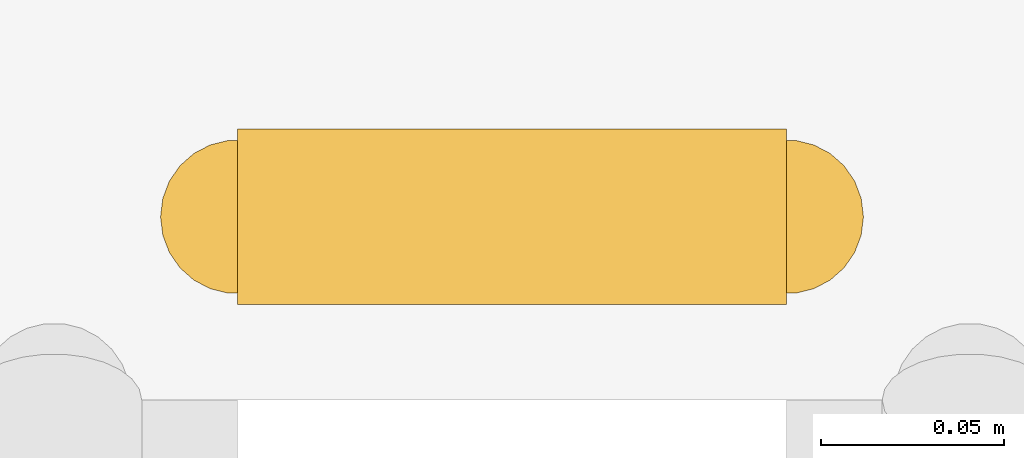
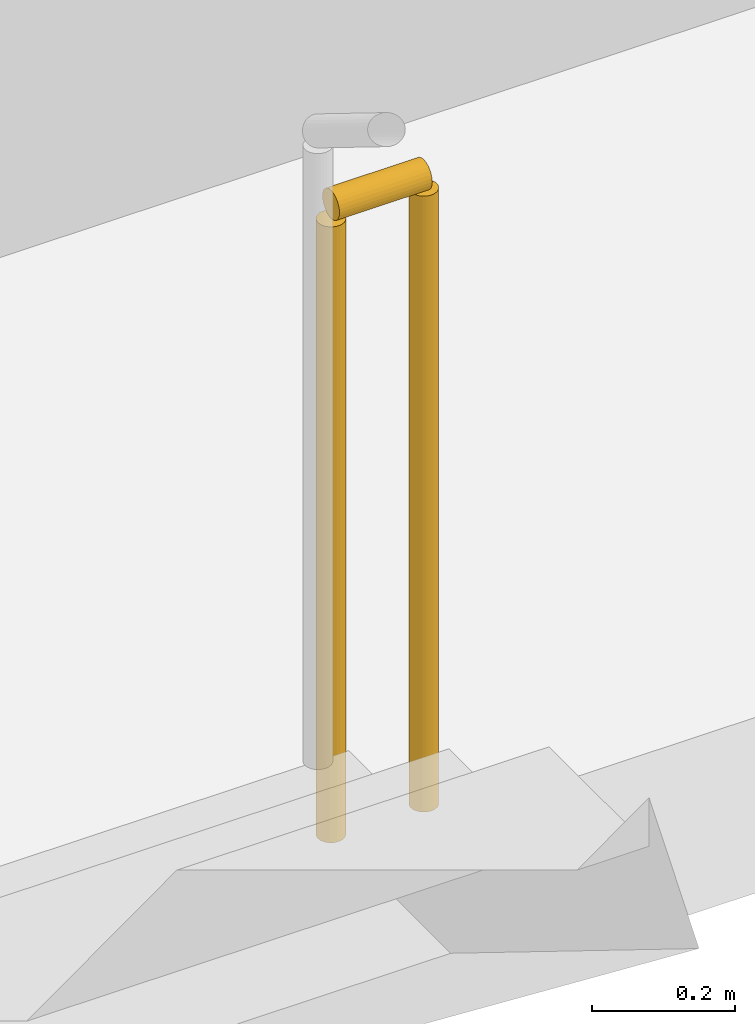
# One storey, part 68 of 71: 1 railing.
"""IFC4 building model written with IfcOpenShell, lengths in metres."""

from ifc_helpers import new_model, si_unit, direction, frame, origin, origin_2d, place, context, subcontext, project, spatial, circle, extrude, material, type_object, element, save


model = new_model("IFC4")

# Units and contexts
model_context = context("Model", 3, precision=1e-05, world=origin(), true_north=direction((0.0, 1.0)))
body_context = subcontext(model_context, "Body", "Model", "MODEL_VIEW")
ifc_project = project(units=[si_unit("LENGTHUNIT", "METRE"), si_unit("AREAUNIT", "SQUARE_METRE"), si_unit("VOLUMEUNIT", "CUBIC_METRE"), si_unit("PLANEANGLEUNIT", "RADIAN"), si_unit("MASSUNIT", "GRAM", prefix="KILO")], contexts=[model_context])

# Site, building, storey
site_placement = place(None, origin())
site = spatial("IfcSite", under=ifc_project, at=site_placement, CompositionType="ELEMENT")
building_placement = place(site_placement, origin())
building = spatial("IfcBuilding", under=site, at=building_placement, Name="Ostrander Bayou Hotel Tower", CompositionType="ELEMENT")
storey_placement = place(building_placement, frame((0.0, 0.0, 10.0)))
storey = spatial("IfcBuildingStorey", under=building, at=storey_placement, Name="L02", CompositionType="ELEMENT", Elevation=10.0)

# Railing
ifc_material = material(Name="Steel ASTM A500 Gr C", Category="steel")
railing_type = type_object("IfcRailingType", Name="GR1 stair guard 1100 mm steel", PredefinedType="GUARDRAIL", material=ifc_material)
railing_placement = place(storey_placement, frame((6.050048828125, 7.050048828125, 0.0)))
element("IfcRailing", 1, at=railing_placement, inside=storey, type_object=railing_type, Name="L02 STB stair guard 4", PredefinedType="GUARDRAIL", context=body_context, shape_type="SweptSolid", body=[
    extrude(circle(Radius=0.02392578125, at=origin_2d()), frame((0.0, 0.0, 1.076171875), z_axis=(1.0, 0.0, 0.0), x_axis=(0.0, 1.0, 0.0)), (0.0, 0.0, 1.0), 0.14990234375),
    extrude(circle(Radius=0.02099609375, at=origin_2d()), origin(), (0.0, 0.0, 1.0), 1.052001953125),
    extrude(circle(Radius=0.02099609375, at=origin_2d()), frame((0.14990234375, 0.0, 0.0)), (0.0, 0.0, 1.0), 1.052001953125),
])

save(model, "model.ifc")
